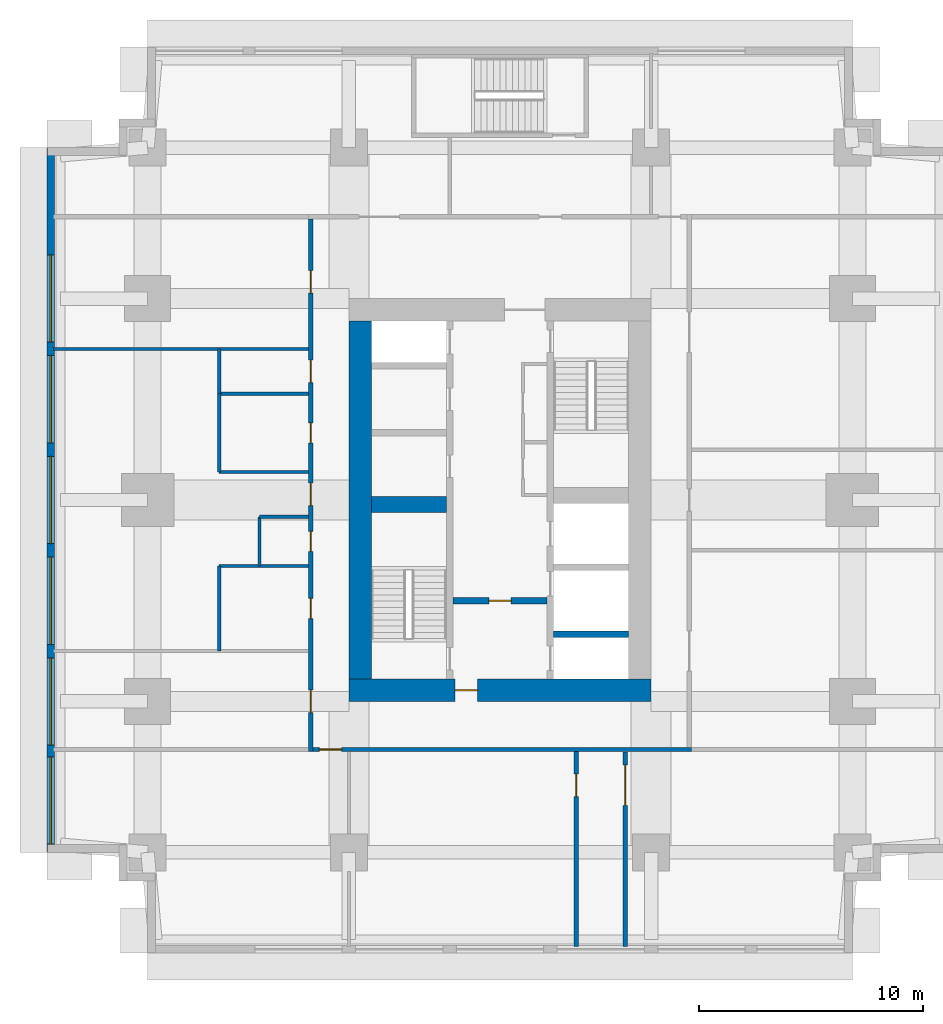
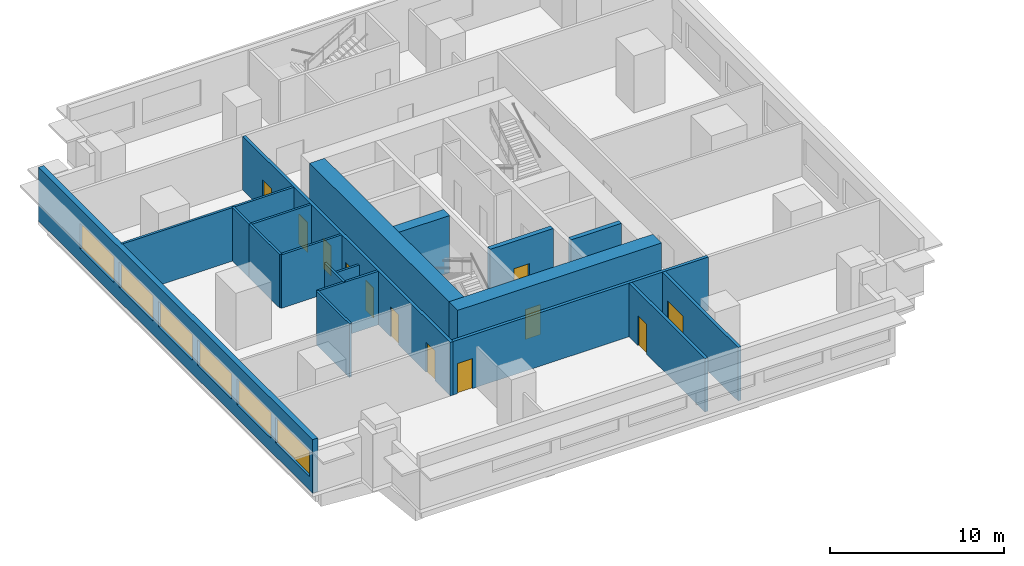
# One storey, part 3 of 11: 19 walls, 12 doors, 6 windows, 18 openings.
"""IFC4 building model written with IfcOpenShell, lengths in metres."""

from ifc_helpers import new_model, si_unit, direction, frame, frame_2d, origin, place, context, subcontext, project, spatial, rectangle, extrude, material, layer, layer_set, type_object, element, fill, save


model = new_model("IFC4")

# Units and contexts
model_context = context("Model", 3, precision=1e-05, world=origin(), true_north=direction((0.0, 1.0)))
body_context = subcontext(model_context, "Body", "Model", "MODEL_VIEW")
ifc_project = project(units=[si_unit("LENGTHUNIT", "METRE"), si_unit("AREAUNIT", "SQUARE_METRE"), si_unit("VOLUMEUNIT", "CUBIC_METRE"), si_unit("PLANEANGLEUNIT", "RADIAN"), si_unit("MASSUNIT", "GRAM", prefix="KILO")], contexts=[model_context])

# Site, building, storey
site_placement = place(None, origin())
site = spatial("IfcSite", under=ifc_project, at=site_placement, CompositionType="ELEMENT")
building_placement = place(site_placement, origin())
building = spatial("IfcBuilding", under=site, at=building_placement, Name="Namib Vertical Campus", CompositionType="ELEMENT")
storey_placement = place(building_placement, frame((0.0, 0.0, 201.0)))
storey = spatial("IfcBuildingStorey", under=building, at=storey_placement, Name="L47", CompositionType="ELEMENT", Elevation=201.0)

# Wall, opening, door
ifc_material_1 = material(Name="Concrete C60/75", Category="concrete")
ifc_layer_1 = layer(ifc_material_1, 0.300048828125)
ifc_layer_set_1 = layer_set([ifc_layer_1], Name="Concrete C60/75")
wall_type_1 = type_object("IfcWallType", Name="Core inner wall 300", PredefinedType="SHEAR", material=ifc_layer_set_1)
wall_1_placement = place(storey_placement, frame((18.14990234375, 15.75, 0.0), z_axis=(0.0, 0.0, 1.0), x_axis=(1.0, 0.0, 0.0)))
wall_1 = element("IfcWall", 1, at=wall_1_placement, inside=storey, type_object=wall_type_1, Name="Core inner wall A L47 W4", PredefinedType="SHEAR", context=body_context, shape_type="SweptSolid", body=[
    extrude(rectangle(XDim=4.2001953125, YDim=0.300048828125, at=frame_2d((2.10009765625, 0.0))), origin(), (0.0, 0.0, 1.0), 4.0),
])
opening_1_placement = place(wall_1_placement, frame((1.60009765625, 0.0, 0.0)))
opening_1 = element("IfcOpeningElement", 2, at=opening_1_placement, cuts=wall_1, Name="Opening FD5", PredefinedType="OPENING", context=body_context, shape_type="SweptSolid", body=[
    extrude(rectangle(XDim=1.0, YDim=2.10009765625, at=frame_2d((0.5, 1.050048828125))), frame((0.0, 0.159912109375, 0.0), z_axis=(0.0, -1.0, 0.0), x_axis=(1.0, 0.0, 0.0)), (0.0, 0.0, 1.0), 0.320068359375),
])
ifc_material_2 = material(Name="Steel fire door", Category="steel")
door_type_1 = type_object("IfcDoorType", Name="Fire door 1000x2100 120 min", OperationType="SINGLE_SWING_RIGHT", PredefinedType="DOOR", material=ifc_material_2)
door_1_placement = place(opening_1_placement, frame((1.0, 0.0, 0.0), z_axis=(0.0, 0.0, 1.0), x_axis=(-1.0, 0.0, 0.0)))
door_1 = element("IfcDoor", 3, at=door_1_placement, inside=storey, type_object=door_type_1, Name="Lobby door FD5 A L47", OperationType="SINGLE_SWING_RIGHT", OverallHeight=2.10009765625, OverallWidth=1.0, PredefinedType="DOOR", context=body_context, shape_type="SweptSolid", body=[
    extrude(rectangle(XDim=1.0, YDim=2.10009765625, at=frame_2d((0.5, 1.050048828125))), frame((0.0, 0.02490234375, 0.0), z_axis=(0.0, -1.0, 0.0), x_axis=(1.0, 0.0, 0.0)), (0.0, 0.0, 1.0), 0.050048828125),
])
fill(opening_1, door_1)

# Walls
wall_2_placement = place(storey_placement, frame((22.64990234375, 14.25, 0.0), z_axis=(0.0, 0.0, 1.0), x_axis=(1.0, 0.0, 0.0)))
element("IfcWall", 4, at=wall_2_placement, inside=storey, type_object=wall_type_1, Name="Core inner wall A L47 W5", PredefinedType="SHEAR", context=body_context, shape_type="SweptSolid", body=[
    extrude(rectangle(XDim=3.35009765625, YDim=0.300048828125, at=frame_2d((1.675048828125, 0.0))), origin(), (0.0, 0.0, 1.0), 4.0),
])
ifc_material_3 = material(Name="Concrete C60/75", Category="concrete")
ifc_layer_2 = layer(ifc_material_3, 0.699951171875)
ifc_layer_set_2 = layer_set([ifc_layer_2], Name="Concrete C60/75")
wall_type_2 = type_object("IfcWallType", Name="Core shear wall 700", PredefinedType="SHEAR", material=ifc_layer_set_2)
wall_3_placement = place(storey_placement, frame((14.5, 20.050048828125, 0.0), z_axis=(0.0, 0.0, 1.0), x_axis=(1.0, 0.0, 0.0)))
element("IfcWall", 5, at=wall_3_placement, inside=storey, type_object=wall_type_2, Name="Core shear wall A L47 W3", PredefinedType="SHEAR", context=body_context, shape_type="SweptSolid", body=[
    extrude(rectangle(XDim=3.35009765625, YDim=0.699951171875, at=frame_2d((1.675048828125, 0.0))), origin(), (0.0, 0.0, 1.0), 4.0),
])

# Wall, opening, door
ifc_material_4 = material(Name="Concrete C60/75", Category="concrete")
ifc_layer_3 = layer(ifc_material_4, 1.0)
ifc_layer_set_3 = layer_set([ifc_layer_3], Name="Concrete C60/75")
wall_type_3 = type_object("IfcWallType", Name="Core wall 1000", PredefinedType="SHEAR", material=ifc_layer_set_3)
wall_4_placement = place(storey_placement, frame((13.5, 11.75, 0.0), z_axis=(0.0, 0.0, 1.0), x_axis=(1.0, 0.0, 0.0)))
wall_4 = element("IfcWall", 6, at=wall_4_placement, inside=storey, type_object=wall_type_3, Name="Core wall A L47 1", PredefinedType="SHEAR", context=body_context, shape_type="SweptSolid", body=[
    extrude(rectangle(XDim=13.5, YDim=1.0, at=frame_2d((6.75, 0.0))), origin(), (0.0, 0.0, 1.0), 4.0),
])
opening_2_placement = place(wall_4_placement, frame((4.75, 0.0, 0.0)))
opening_2 = element("IfcOpeningElement", 7, at=opening_2_placement, cuts=wall_4, Name="Opening FD5", PredefinedType="OPENING", context=body_context, shape_type="SweptSolid", body=[
    extrude(rectangle(XDim=1.0, YDim=2.10009765625, at=frame_2d((0.5, 1.050048828125))), frame((0.0, 0.510009765625, 0.0), z_axis=(0.0, -1.0, 0.0), x_axis=(1.0, 0.0, 0.0)), (0.0, 0.0, 1.0), 1.02001953125),
])
door_2_placement = place(opening_2_placement, origin())
door_2 = element("IfcDoor", 8, at=door_2_placement, inside=storey, type_object=door_type_1, Name="Firefighting lobby door FD5 A L47", OperationType="SINGLE_SWING_LEFT", OverallHeight=2.10009765625, OverallWidth=1.0, PredefinedType="DOOR", context=body_context, shape_type="SweptSolid", body=[
    extrude(rectangle(XDim=1.0, YDim=2.10009765625, at=frame_2d((0.5, 1.050048828125))), frame((0.0, 0.02490234375, 0.0), z_axis=(0.0, -1.0, 0.0), x_axis=(1.0, 0.0, 0.0)), (0.0, 0.0, 1.0), 0.050048828125),
])
fill(opening_2, door_2)

# Wall
wall_5_placement = place(storey_placement, frame((14.0, 28.25, 0.0), z_axis=(0.0, 0.0, 1.0), x_axis=(0.0, -1.0, 0.0)))
element("IfcWall", 9, at=wall_5_placement, inside=storey, type_object=wall_type_3, Name="Core wall A L47 4", PredefinedType="SHEAR", context=body_context, shape_type="SweptSolid", body=[
    extrude(rectangle(XDim=16.0, YDim=1.0, at=frame_2d((8.0, 0.0))), origin(), (0.0, 0.0, 1.0), 4.0),
])

# Wall, opening, door
ifc_material_5 = material(Name="Concrete masonry", Category="masonry")
ifc_layer_4 = layer(ifc_material_5, 0.199951171875)
ifc_layer_set_4 = layer_set([ifc_layer_4], Name="Corridor wall 200")
wall_type_4 = type_object("IfcWallType", Name="Corridor wall 200", PredefinedType="SOLIDWALL", material=ifc_layer_set_4)
wall_6_placement = place(storey_placement, frame((11.89990234375, 9.10009765625, 0.0), z_axis=(0.0, 0.0, 1.0), x_axis=(1.0, 0.0, 0.0)))
wall_6 = element("IfcWall", 10, at=wall_6_placement, inside=storey, type_object=wall_type_4, Name="Corridor wall A L47 CS", PredefinedType="SOLIDWALL", context=body_context, shape_type="SweptSolid", body=[
    extrude(rectangle(XDim=16.900146484375, YDim=0.199951171875, at=frame_2d((8.4501953125, 0.0))), origin(), (0.0, 0.0, 1.0), 3.75),
])
opening_3_placement = place(wall_6_placement, frame((0.27490234375, 0.0, 0.0)))
opening_3 = element("IfcOpeningElement", 11, at=opening_3_placement, cuts=wall_6, Name="Opening CD1", PredefinedType="OPENING", context=body_context, shape_type="SweptSolid", body=[
    extrude(rectangle(XDim=1.0, YDim=2.10009765625, at=frame_2d((0.5, 1.050048828125))), frame((0.0, 0.10986328125, 0.0), z_axis=(0.0, -1.0, 0.0), x_axis=(1.0, 0.0, 0.0)), (0.0, 0.0, 1.0), 0.219970703125),
])
ifc_material_6 = material(Name="Timber fire door leaf", Category="wood")
door_type_2 = type_object("IfcDoorType", Name="Corridor door 1000x2100 20 min", OperationType="SINGLE_SWING_LEFT", PredefinedType="DOOR", material=ifc_material_6)
door_3_placement = place(opening_3_placement, frame((1.0, 0.0, 0.0), z_axis=(0.0, 0.0, 1.0), x_axis=(-1.0, 0.0, 0.0)))
door_3 = element("IfcDoor", 12, at=door_3_placement, inside=storey, type_object=door_type_2, Name="Door CD1 A47-01", OperationType="SINGLE_SWING_LEFT", OverallHeight=2.10009765625, OverallWidth=1.0, PredefinedType="DOOR", context=body_context, shape_type="SweptSolid", body=[
    extrude(rectangle(XDim=1.0, YDim=2.10009765625, at=frame_2d((0.5, 1.050048828125))), frame((0.0, 0.02490234375, 0.0), z_axis=(0.0, -1.0, 0.0), x_axis=(1.0, 0.0, 0.0)), (0.0, 0.0, 1.0), 0.050048828125),
])
fill(opening_3, door_3)

# Wall, openings, doors
wall_7_placement = place(storey_placement, frame((11.800048828125, 32.800048828125, 0.0), z_axis=(0.0, 0.0, 1.0), x_axis=(0.0, -1.0, 0.0)))
wall_7 = element("IfcWall", 13, at=wall_7_placement, inside=storey, type_object=wall_type_4, Name="Corridor wall A L47 CW", PredefinedType="SOLIDWALL", context=body_context, shape_type="SweptSolid", body=[
    extrude(rectangle(XDim=23.800048828125, YDim=0.199951171875, at=frame_2d((11.89990234375, 0.0))), origin(), (0.0, 0.0, 1.0), 3.75),
])
opening_4_placement = place(wall_7_placement, frame((21.050048828125, 0.0, 0.0)))
opening_4 = element("IfcOpeningElement", 14, at=opening_4_placement, cuts=wall_7, Name="Opening CD1", PredefinedType="OPENING", context=body_context, shape_type="SweptSolid", body=[
    extrude(rectangle(XDim=1.0, YDim=2.10009765625, at=frame_2d((0.5, 1.050048828125))), frame((0.0, 0.10986328125, 0.0), z_axis=(0.0, -1.0, 0.0), x_axis=(1.0, 0.0, 0.0)), (0.0, 0.0, 1.0), 0.219970703125),
])
opening_5_placement = place(wall_7_placement, frame((16.949951171875, 0.0, 0.0)))
opening_5 = element("IfcOpeningElement", 15, at=opening_5_placement, cuts=wall_7, Name="Opening CD3", PredefinedType="OPENING", context=body_context, shape_type="SweptSolid", body=[
    extrude(rectangle(XDim=0.89990234375, YDim=2.10009765625, at=frame_2d((0.449951171875, 1.050048828125))), frame((0.0, 0.10986328125, 0.0), z_axis=(0.0, -1.0, 0.0), x_axis=(1.0, 0.0, 0.0)), (0.0, 0.0, 1.0), 0.219970703125),
])
opening_6_placement = place(wall_7_placement, frame((13.949951171875, 0.0, 0.0)))
opening_6 = element("IfcOpeningElement", 16, at=opening_6_placement, cuts=wall_7, Name="Opening CD3", PredefinedType="OPENING", context=body_context, shape_type="SweptSolid", body=[
    extrude(rectangle(XDim=0.89990234375, YDim=2.10009765625, at=frame_2d((0.449951171875, 1.050048828125))), frame((0.0, 0.10986328125, 0.0), z_axis=(0.0, -1.0, 0.0), x_axis=(1.0, 0.0, 0.0)), (0.0, 0.0, 1.0), 0.219970703125),
])
opening_7_placement = place(wall_7_placement, frame((9.10009765625, 0.0, 0.0)))
opening_7 = element("IfcOpeningElement", 17, at=opening_7_placement, cuts=wall_7, Name="Opening CD3", PredefinedType="OPENING", context=body_context, shape_type="SweptSolid", body=[
    extrude(rectangle(XDim=0.89990234375, YDim=2.10009765625, at=frame_2d((0.449951171875, 1.050048828125))), frame((0.0, 0.10986328125, 0.0), z_axis=(0.0, -1.0, 0.0), x_axis=(1.0, 0.0, 0.0)), (0.0, 0.0, 1.0), 0.219970703125),
])
opening_8_placement = place(wall_7_placement, frame((6.300048828125, 0.0, 0.0)))
opening_8 = element("IfcOpeningElement", 18, at=opening_8_placement, cuts=wall_7, Name="Opening CD1", PredefinedType="OPENING", context=body_context, shape_type="SweptSolid", body=[
    extrude(rectangle(XDim=1.0, YDim=2.10009765625, at=frame_2d((0.5, 1.050048828125))), frame((0.0, 0.10986328125, 0.0), z_axis=(0.0, -1.0, 0.0), x_axis=(1.0, 0.0, 0.0)), (0.0, 0.0, 1.0), 0.219970703125),
])
opening_9_placement = place(wall_7_placement, frame((11.800048828125, 0.0, 0.0)))
opening_9 = element("IfcOpeningElement", 19, at=opening_9_placement, cuts=wall_7, Name="Opening CD1", PredefinedType="OPENING", context=body_context, shape_type="SweptSolid", body=[
    extrude(rectangle(XDim=1.0, YDim=2.10009765625, at=frame_2d((0.5, 1.050048828125))), frame((0.0, 0.10986328125, 0.0), z_axis=(0.0, -1.0, 0.0), x_axis=(1.0, 0.0, 0.0)), (0.0, 0.0, 1.0), 0.219970703125),
])
opening_10_placement = place(wall_7_placement, frame((2.300048828125, 0.0, 0.0)))
opening_10 = element("IfcOpeningElement", 20, at=opening_10_placement, cuts=wall_7, Name="Opening CD1", PredefinedType="OPENING", context=body_context, shape_type="SweptSolid", body=[
    extrude(rectangle(XDim=1.0, YDim=2.10009765625, at=frame_2d((0.5, 1.050048828125))), frame((0.0, 0.10986328125, 0.0), z_axis=(0.0, -1.0, 0.0), x_axis=(1.0, 0.0, 0.0)), (0.0, 0.0, 1.0), 0.219970703125),
])
door_4_placement = place(opening_4_placement, frame((1.0, 0.0, 0.0), z_axis=(0.0, 0.0, 1.0), x_axis=(-1.0, 0.0, 0.0)))
door_4 = element("IfcDoor", 21, at=door_4_placement, inside=storey, type_object=door_type_2, Name="Door CD1 A47-10", OperationType="SINGLE_SWING_RIGHT", OverallHeight=2.10009765625, OverallWidth=1.0, PredefinedType="DOOR", context=body_context, shape_type="SweptSolid", body=[
    extrude(rectangle(XDim=1.0, YDim=2.10009765625, at=frame_2d((0.5, 1.050048828125))), frame((0.0, 0.02490234375, 0.0), z_axis=(0.0, -1.0, 0.0), x_axis=(1.0, 0.0, 0.0)), (0.0, 0.0, 1.0), 0.050048828125),
])
fill(opening_4, door_4)
door_5_placement = place(opening_8_placement, frame((1.0, 0.0, 0.0), z_axis=(0.0, 0.0, 1.0), x_axis=(-1.0, 0.0, 0.0)))
door_5 = element("IfcDoor", 22, at=door_5_placement, inside=storey, type_object=door_type_2, Name="Door CD1 A47-14", OperationType="SINGLE_SWING_RIGHT", OverallHeight=2.10009765625, OverallWidth=1.0, PredefinedType="DOOR", context=body_context, shape_type="SweptSolid", body=[
    extrude(rectangle(XDim=1.0, YDim=2.10009765625, at=frame_2d((0.5, 1.050048828125))), frame((0.0, 0.02490234375, 0.0), z_axis=(0.0, -1.0, 0.0), x_axis=(1.0, 0.0, 0.0)), (0.0, 0.0, 1.0), 0.050048828125),
])
fill(opening_8, door_5)
door_6_placement = place(opening_9_placement, frame((1.0, 0.0, 0.0), z_axis=(0.0, 0.0, 1.0), x_axis=(-1.0, 0.0, 0.0)))
door_6 = element("IfcDoor", 23, at=door_6_placement, inside=storey, type_object=door_type_2, Name="Door CD1 A47-15", OperationType="SINGLE_SWING_RIGHT", OverallHeight=2.10009765625, OverallWidth=1.0, PredefinedType="DOOR", context=body_context, shape_type="SweptSolid", body=[
    extrude(rectangle(XDim=1.0, YDim=2.10009765625, at=frame_2d((0.5, 1.050048828125))), frame((0.0, 0.02490234375, 0.0), z_axis=(0.0, -1.0, 0.0), x_axis=(1.0, 0.0, 0.0)), (0.0, 0.0, 1.0), 0.050048828125),
])
fill(opening_9, door_6)
door_7_placement = place(opening_10_placement, frame((1.0, 0.0, 0.0), z_axis=(0.0, 0.0, 1.0), x_axis=(-1.0, 0.0, 0.0)))
door_7 = element("IfcDoor", 24, at=door_7_placement, inside=storey, type_object=door_type_2, Name="Door CD1 A47-16", OperationType="SINGLE_SWING_RIGHT", OverallHeight=2.10009765625, OverallWidth=1.0, PredefinedType="DOOR", context=body_context, shape_type="SweptSolid", body=[
    extrude(rectangle(XDim=1.0, YDim=2.10009765625, at=frame_2d((0.5, 1.050048828125))), frame((0.0, 0.02490234375, 0.0), z_axis=(0.0, -1.0, 0.0), x_axis=(1.0, 0.0, 0.0)), (0.0, 0.0, 1.0), 0.050048828125),
])
fill(opening_10, door_7)
ifc_material_7 = material(Name="Timber fire door leaf", Category="wood")
door_type_3 = type_object("IfcDoorType", Name="Corridor toilet door 900x2100 20 min", OperationType="SINGLE_SWING_LEFT", PredefinedType="DOOR", material=ifc_material_7)
door_8_placement = place(opening_5_placement, frame((0.89990234375, 0.0, 0.0), z_axis=(0.0, 0.0, 1.0), x_axis=(-1.0, 0.0, 0.0)))
door_8 = element("IfcDoor", 25, at=door_8_placement, inside=storey, type_object=door_type_3, Name="Door CD3 A47-11", OperationType="SINGLE_SWING_RIGHT", OverallHeight=2.10009765625, OverallWidth=0.89990234375, PredefinedType="DOOR", context=body_context, shape_type="SweptSolid", body=[
    extrude(rectangle(XDim=0.89990234375, YDim=2.10009765625, at=frame_2d((0.449951171875, 1.050048828125))), frame((0.0, 0.02490234375, 0.0), z_axis=(0.0, -1.0, 0.0), x_axis=(1.0, 0.0, 0.0)), (0.0, 0.0, 1.0), 0.050048828125),
])
fill(opening_5, door_8)
door_9_placement = place(opening_6_placement, frame((0.89990234375, 0.0, 0.0), z_axis=(0.0, 0.0, 1.0), x_axis=(-1.0, 0.0, 0.0)))
door_9 = element("IfcDoor", 26, at=door_9_placement, inside=storey, type_object=door_type_3, Name="Door CD3 A47-12", OperationType="SINGLE_SWING_RIGHT", OverallHeight=2.10009765625, OverallWidth=0.89990234375, PredefinedType="DOOR", context=body_context, shape_type="SweptSolid", body=[
    extrude(rectangle(XDim=0.89990234375, YDim=2.10009765625, at=frame_2d((0.449951171875, 1.050048828125))), frame((0.0, 0.02490234375, 0.0), z_axis=(0.0, -1.0, 0.0), x_axis=(1.0, 0.0, 0.0)), (0.0, 0.0, 1.0), 0.050048828125),
])
fill(opening_6, door_9)
door_10_placement = place(opening_7_placement, frame((0.89990234375, 0.0, 0.0), z_axis=(0.0, 0.0, 1.0), x_axis=(-1.0, 0.0, 0.0)))
door_10 = element("IfcDoor", 27, at=door_10_placement, inside=storey, type_object=door_type_3, Name="Door CD3 A47-13", OperationType="SINGLE_SWING_RIGHT", OverallHeight=2.10009765625, OverallWidth=0.89990234375, PredefinedType="DOOR", context=body_context, shape_type="SweptSolid", body=[
    extrude(rectangle(XDim=0.89990234375, YDim=2.10009765625, at=frame_2d((0.449951171875, 1.050048828125))), frame((0.0, 0.02490234375, 0.0), z_axis=(0.0, -1.0, 0.0), x_axis=(1.0, 0.0, 0.0)), (0.0, 0.0, 1.0), 0.050048828125),
])
fill(opening_7, door_10)

# Wall, opening, door
wall_8_placement = place(storey_placement, frame((23.64990234375, 0.300048828125, 0.0), z_axis=(0.0, 0.0, 1.0), x_axis=(0.0, 1.0, 0.0)))
wall_8 = element("IfcWall", 28, at=wall_8_placement, inside=storey, type_object=wall_type_4, Name="Corridor wall A L47 SPS1", PredefinedType="SOLIDWALL", context=body_context, shape_type="SweptSolid", body=[
    extrude(rectangle(XDim=8.699951171875, YDim=0.199951171875, at=frame_2d((4.35009765625, 0.0))), origin(), (0.0, 0.0, 1.0), 3.75),
])
opening_11_placement = place(wall_8_placement, frame((6.699951171875, 0.0, 0.0)))
opening_11 = element("IfcOpeningElement", 29, at=opening_11_placement, cuts=wall_8, Name="Opening CD1", PredefinedType="OPENING", context=body_context, shape_type="SweptSolid", body=[
    extrude(rectangle(XDim=1.0, YDim=2.10009765625, at=frame_2d((0.5, 1.050048828125))), frame((0.0, 0.10986328125, 0.0), z_axis=(0.0, -1.0, 0.0), x_axis=(1.0, 0.0, 0.0)), (0.0, 0.0, 1.0), 0.219970703125),
])
door_11_placement = place(opening_11_placement, origin())
door_11 = element("IfcDoor", 30, at=door_11_placement, inside=storey, type_object=door_type_2, Name="Door CD1 A47-02", OperationType="SINGLE_SWING_RIGHT", OverallHeight=2.10009765625, OverallWidth=1.0, PredefinedType="DOOR", context=body_context, shape_type="SweptSolid", body=[
    extrude(rectangle(XDim=1.0, YDim=2.10009765625, at=frame_2d((0.5, 1.050048828125))), frame((0.0, 0.02490234375, 0.0), z_axis=(0.0, -1.0, 0.0), x_axis=(1.0, 0.0, 0.0)), (0.0, 0.0, 1.0), 0.050048828125),
])
fill(opening_11, door_11)

wall_9_placement = place(storey_placement, frame((25.85009765625, 9.0, 0.0), z_axis=(0.0, 0.0, 1.0), x_axis=(0.0, -1.0, 0.0)))
wall_9 = element("IfcWall", 31, at=wall_9_placement, inside=storey, type_object=wall_type_4, Name="Corridor wall A L47 SPS2", PredefinedType="SOLIDWALL", context=body_context, shape_type="SweptSolid", body=[
    extrude(rectangle(XDim=8.699951171875, YDim=0.199951171875, at=frame_2d((4.35009765625, 0.0))), origin(), (0.0, 0.0, 1.0), 3.75),
])
opening_12_placement = place(wall_9_placement, frame((0.60009765625, 0.0, 0.0)))
opening_12 = element("IfcOpeningElement", 32, at=opening_12_placement, cuts=wall_9, Name="Opening CD2", PredefinedType="OPENING", context=body_context, shape_type="SweptSolid", body=[
    extrude(rectangle(XDim=1.800048828125, YDim=2.10009765625, at=frame_2d((0.89990234375, 1.050048828125))), frame((0.0, 0.10986328125, 0.0), z_axis=(0.0, -1.0, 0.0), x_axis=(1.0, 0.0, 0.0)), (0.0, 0.0, 1.0), 0.219970703125),
])
ifc_material_8 = material(Name="Timber fire door leaf", Category="wood")
door_type_4 = type_object("IfcDoorType", Name="Corridor door double 1800x2100 20 min", OperationType="DOUBLE_DOOR_SINGLE_SWING", PredefinedType="DOOR", material=ifc_material_8)
door_12_placement = place(opening_12_placement, origin())
door_12 = element("IfcDoor", 33, at=door_12_placement, inside=storey, type_object=door_type_4, Name="Door CD2 A47-03", OperationType="DOUBLE_DOOR_SINGLE_SWING", OverallHeight=2.10009765625, OverallWidth=1.800048828125, PredefinedType="DOOR", context=body_context, shape_type="SweptSolid", body=[
    extrude(rectangle(XDim=1.800048828125, YDim=2.10009765625, at=frame_2d((0.89990234375, 1.050048828125))), frame((0.0, 0.02490234375, 0.0), z_axis=(0.0, -1.0, 0.0), x_axis=(1.0, 0.0, 0.0)), (0.0, 0.0, 1.0), 0.050048828125),
])
fill(opening_12, door_12)

# Wall, openings, windows
ifc_material_9 = material(Name="Concrete C40/50", Category="concrete")
ifc_layer_5 = layer(ifc_material_9, 0.35009765625)
ifc_layer_set_5 = layer_set([ifc_layer_5], Name="Concrete C40/50")
wall_type_5 = type_object("IfcWallType", Name="External wall 350 bush-hammered concrete", PredefinedType="STANDARD", material=ifc_layer_set_5)
wall_10_placement = place(storey_placement, frame((0.175048828125, 35.97998046875, 0.0), z_axis=(0.0, 0.0, 1.0), x_axis=(0.0, -1.0, 0.0)))
wall_10 = element("IfcWall", 34, at=wall_10_placement, inside=storey, type_object=wall_type_5, Name="External wall L47 F16", PredefinedType="STANDARD", context=body_context, shape_type="SweptSolid", body=[
    extrude(rectangle(XDim=31.4599609375, YDim=0.35009765625, at=frame_2d((15.72998046875, 0.0))), origin(), (0.0, 0.0, 1.0), 3.75),
])
opening_13_placement = place(wall_10_placement, frame((27.2099609375, 0.0, 0.949951171875)))
opening_13 = element("IfcOpeningElement", 35, at=opening_13_placement, cuts=wall_10, Name="Opening W3", PredefinedType="OPENING", context=body_context, shape_type="SweptSolid", body=[
    extrude(rectangle(XDim=3.89990234375, YDim=1.800048828125, at=frame_2d((1.949951171875, 0.89990234375))), frame((0.0, 0.18505859375, 0.0), z_axis=(0.0, -1.0, 0.0), x_axis=(1.0, 0.0, 0.0)), (0.0, 0.0, 1.0), 0.3701171875),
])
opening_14_placement = place(wall_10_placement, frame((22.780029296875, 0.0, 0.949951171875)))
opening_14 = element("IfcOpeningElement", 36, at=opening_14_placement, cuts=wall_10, Name="Opening W3", PredefinedType="OPENING", context=body_context, shape_type="SweptSolid", body=[
    extrude(rectangle(XDim=3.89990234375, YDim=1.800048828125, at=frame_2d((1.949951171875, 0.89990234375))), frame((0.0, 0.18505859375, 0.0), z_axis=(0.0, -1.0, 0.0), x_axis=(1.0, 0.0, 0.0)), (0.0, 0.0, 1.0), 0.3701171875),
])
opening_15_placement = place(wall_10_placement, frame((18.280029296875, 0.0, 0.949951171875)))
opening_15 = element("IfcOpeningElement", 37, at=opening_15_placement, cuts=wall_10, Name="Opening W3", PredefinedType="OPENING", context=body_context, shape_type="SweptSolid", body=[
    extrude(rectangle(XDim=3.89990234375, YDim=1.800048828125, at=frame_2d((1.949951171875, 0.89990234375))), frame((0.0, 0.18505859375, 0.0), z_axis=(0.0, -1.0, 0.0), x_axis=(1.0, 0.0, 0.0)), (0.0, 0.0, 1.0), 0.3701171875),
])
opening_16_placement = place(wall_10_placement, frame((13.780029296875, 0.0, 0.949951171875)))
opening_16 = element("IfcOpeningElement", 38, at=opening_16_placement, cuts=wall_10, Name="Opening W3", PredefinedType="OPENING", context=body_context, shape_type="SweptSolid", body=[
    extrude(rectangle(XDim=3.89990234375, YDim=1.800048828125, at=frame_2d((1.949951171875, 0.89990234375))), frame((0.0, 0.18505859375, 0.0), z_axis=(0.0, -1.0, 0.0), x_axis=(1.0, 0.0, 0.0)), (0.0, 0.0, 1.0), 0.3701171875),
])
opening_17_placement = place(wall_10_placement, frame((9.280029296875, 0.0, 0.949951171875)))
opening_17 = element("IfcOpeningElement", 39, at=opening_17_placement, cuts=wall_10, Name="Opening W3", PredefinedType="OPENING", context=body_context, shape_type="SweptSolid", body=[
    extrude(rectangle(XDim=3.89990234375, YDim=1.800048828125, at=frame_2d((1.949951171875, 0.89990234375))), frame((0.0, 0.18505859375, 0.0), z_axis=(0.0, -1.0, 0.0), x_axis=(1.0, 0.0, 0.0)), (0.0, 0.0, 1.0), 0.3701171875),
])
opening_18_placement = place(wall_10_placement, frame((4.780029296875, 0.0, 0.949951171875)))
opening_18 = element("IfcOpeningElement", 40, at=opening_18_placement, cuts=wall_10, Name="Opening W3", PredefinedType="OPENING", context=body_context, shape_type="SweptSolid", body=[
    extrude(rectangle(XDim=3.89990234375, YDim=1.800048828125, at=frame_2d((1.949951171875, 0.89990234375))), frame((0.0, 0.18505859375, 0.0), z_axis=(0.0, -1.0, 0.0), x_axis=(1.0, 0.0, 0.0)), (0.0, 0.0, 1.0), 0.3701171875),
])
ifc_material_10 = material(Name="Dark tinted glass in black aluminium frame", Category="aluminium")
window_type = type_object("IfcWindowType", Name="Ribbon window 3900x1800", PartitioningType="SINGLE_PANEL", PredefinedType="WINDOW", material=ifc_material_10)
window_1_placement = place(opening_13_placement, origin())
window_1 = element("IfcWindow", 41, at=window_1_placement, inside=storey, type_object=window_type, Name="Window W3 L47 F16-1", OverallHeight=1.800048828125, OverallWidth=3.89990234375, PartitioningType="SINGLE_PANEL", PredefinedType="WINDOW", context=body_context, shape_type="SweptSolid", body=[
    extrude(rectangle(XDim=3.89990234375, YDim=1.800048828125, at=frame_2d((1.949951171875, 0.89990234375))), frame((0.0, 0.030029296875, 0.0), z_axis=(0.0, -1.0, 0.0), x_axis=(1.0, 0.0, 0.0)), (0.0, 0.0, 1.0), 0.06005859375),
])
fill(opening_13, window_1)
window_2_placement = place(opening_14_placement, origin())
window_2 = element("IfcWindow", 42, at=window_2_placement, inside=storey, type_object=window_type, Name="Window W3 L47 F16-2", OverallHeight=1.800048828125, OverallWidth=3.89990234375, PartitioningType="SINGLE_PANEL", PredefinedType="WINDOW", context=body_context, shape_type="SweptSolid", body=[
    extrude(rectangle(XDim=3.89990234375, YDim=1.800048828125, at=frame_2d((1.949951171875, 0.89990234375))), frame((0.0, 0.030029296875, 0.0), z_axis=(0.0, -1.0, 0.0), x_axis=(1.0, 0.0, 0.0)), (0.0, 0.0, 1.0), 0.06005859375),
])
fill(opening_14, window_2)
window_3_placement = place(opening_15_placement, origin())
window_3 = element("IfcWindow", 43, at=window_3_placement, inside=storey, type_object=window_type, Name="Window W3 L47 F16-3", OverallHeight=1.800048828125, OverallWidth=3.89990234375, PartitioningType="SINGLE_PANEL", PredefinedType="WINDOW", context=body_context, shape_type="SweptSolid", body=[
    extrude(rectangle(XDim=3.89990234375, YDim=1.800048828125, at=frame_2d((1.949951171875, 0.89990234375))), frame((0.0, 0.030029296875, 0.0), z_axis=(0.0, -1.0, 0.0), x_axis=(1.0, 0.0, 0.0)), (0.0, 0.0, 1.0), 0.06005859375),
])
fill(opening_15, window_3)
window_4_placement = place(opening_16_placement, origin())
window_4 = element("IfcWindow", 44, at=window_4_placement, inside=storey, type_object=window_type, Name="Window W3 L47 F16-4", OverallHeight=1.800048828125, OverallWidth=3.89990234375, PartitioningType="SINGLE_PANEL", PredefinedType="WINDOW", context=body_context, shape_type="SweptSolid", body=[
    extrude(rectangle(XDim=3.89990234375, YDim=1.800048828125, at=frame_2d((1.949951171875, 0.89990234375))), frame((0.0, 0.030029296875, 0.0), z_axis=(0.0, -1.0, 0.0), x_axis=(1.0, 0.0, 0.0)), (0.0, 0.0, 1.0), 0.06005859375),
])
fill(opening_16, window_4)
window_5_placement = place(opening_17_placement, origin())
window_5 = element("IfcWindow", 45, at=window_5_placement, inside=storey, type_object=window_type, Name="Window W3 L47 F16-5", OverallHeight=1.800048828125, OverallWidth=3.89990234375, PartitioningType="SINGLE_PANEL", PredefinedType="WINDOW", context=body_context, shape_type="SweptSolid", body=[
    extrude(rectangle(XDim=3.89990234375, YDim=1.800048828125, at=frame_2d((1.949951171875, 0.89990234375))), frame((0.0, 0.030029296875, 0.0), z_axis=(0.0, -1.0, 0.0), x_axis=(1.0, 0.0, 0.0)), (0.0, 0.0, 1.0), 0.06005859375),
])
fill(opening_17, window_5)
window_6_placement = place(opening_18_placement, origin())
window_6 = element("IfcWindow", 46, at=window_6_placement, inside=storey, type_object=window_type, Name="Window W3 L47 F16-6", OverallHeight=1.800048828125, OverallWidth=3.89990234375, PartitioningType="SINGLE_PANEL", PredefinedType="WINDOW", context=body_context, shape_type="SweptSolid", body=[
    extrude(rectangle(XDim=3.89990234375, YDim=1.800048828125, at=frame_2d((1.949951171875, 0.89990234375))), frame((0.0, 0.030029296875, 0.0), z_axis=(0.0, -1.0, 0.0), x_axis=(1.0, 0.0, 0.0)), (0.0, 0.0, 1.0), 0.06005859375),
])
fill(opening_18, window_6)

# Walls
ifc_material_11 = material(Name="Gypsum board on steel studs", Category="steel")
ifc_layer_6 = layer(ifc_material_11, 0.14990234375)
ifc_layer_set_6 = layer_set([ifc_layer_6], Name="Gypsum board on steel studs")
wall_type_6 = type_object("IfcWallType", Name="Partition 150", PredefinedType="PARTITIONING", material=ifc_layer_set_6)
wall_11_placement = place(storey_placement, frame((0.300048828125, 27.0, 0.0), z_axis=(0.0, 0.0, 1.0), x_axis=(1.0, 0.0, 0.0)))
element("IfcWall", 47, at=wall_11_placement, inside=storey, type_object=wall_type_6, Name="Partition A L47 PW2", PredefinedType="PARTITIONING", context=body_context, shape_type="SweptSolid", body=[
    extrude(rectangle(XDim=11.39990234375, YDim=0.14990234375, at=frame_2d((5.699951171875, 0.0))), origin(), (0.0, 0.0, 1.0), 3.75),
])
wall_12_placement = place(storey_placement, frame((11.699951171875, 17.300048828125, 0.0), z_axis=(0.0, 0.0, 1.0), x_axis=(-1.0, 0.0, 0.0)))
element("IfcWall", 48, at=wall_12_placement, inside=storey, type_object=wall_type_6, Name="Partition A L47 WR1", PredefinedType="PARTITIONING", context=body_context, shape_type="SweptSolid", body=[
    extrude(rectangle(XDim=4.0, YDim=0.14990234375, at=frame_2d((2.0, 0.0))), origin(), (0.0, 0.0, 1.0), 3.75),
])
wall_13_placement = place(storey_placement, frame((11.699951171875, 19.5, 0.0), z_axis=(0.0, 0.0, 1.0), x_axis=(-1.0, 0.0, 0.0)))
element("IfcWall", 49, at=wall_13_placement, inside=storey, type_object=wall_type_6, Name="Partition A L47 WR2", PredefinedType="PARTITIONING", context=body_context, shape_type="SweptSolid", body=[
    extrude(rectangle(XDim=2.199951171875, YDim=0.14990234375, at=frame_2d((1.10009765625, 0.0))), origin(), (0.0, 0.0, 1.0), 2.85009765625),
])
for number, where, z_axis, x_axis, name in (
    (50, (11.699951171875, 21.5, 0.0), (0.0, 0.0, 1.0), (-1.0, 0.0, 0.0), "Partition A L47 WR3"),
    (51, (11.699951171875, 25.0, 0.0), (0.0, 0.0, 1.0), (-1.0, 0.0, 0.0), "Partition A L47 WR4"),
):
    element("IfcWall", number, at=place(storey_placement, frame(where, z_axis=z_axis, x_axis=x_axis)), inside=storey, type_object=wall_type_6, Name=name, PredefinedType="PARTITIONING", context=body_context, shape_type="SweptSolid", body=[
        extrude(rectangle(XDim=4.0, YDim=0.14990234375, at=frame_2d((2.0, 0.0))), origin(), (0.0, 0.0, 1.0), 3.75),
    ])
wall_14_placement = place(storey_placement, frame((7.699951171875, 13.5, 0.0), z_axis=(0.0, 0.0, 1.0), x_axis=(0.0, 1.0, 0.0)))
element("IfcWall", 52, at=wall_14_placement, inside=storey, type_object=wall_type_6, Name="Partition A L47 WB1", PredefinedType="PARTITIONING", context=body_context, shape_type="SweptSolid", body=[
    extrude(rectangle(XDim=3.800048828125, YDim=0.14990234375, at=frame_2d((1.89990234375, 0.0))), origin(), (0.0, 0.0, 1.0), 3.75),
])
wall_15_placement = place(storey_placement, frame((9.5, 17.300048828125, 0.0), z_axis=(0.0, 0.0, 1.0), x_axis=(0.0, 1.0, 0.0)))
element("IfcWall", 53, at=wall_15_placement, inside=storey, type_object=wall_type_6, Name="Partition A L47 WB2", PredefinedType="PARTITIONING", context=body_context, shape_type="SweptSolid", body=[
    extrude(rectangle(XDim=2.199951171875, YDim=0.14990234375, at=frame_2d((1.10009765625, 0.0))), origin(), (0.0, 0.0, 1.0), 3.75),
])
wall_16_placement = place(storey_placement, frame((7.699951171875, 21.5, 0.0), z_axis=(0.0, 0.0, 1.0), x_axis=(0.0, 1.0, 0.0)))
element("IfcWall", 54, at=wall_16_placement, inside=storey, type_object=wall_type_6, Name="Partition A L47 WB3", PredefinedType="PARTITIONING", context=body_context, shape_type="SweptSolid", body=[
    extrude(rectangle(XDim=3.5, YDim=0.14990234375, at=frame_2d((1.75, 0.0))), origin(), (0.0, 0.0, 1.0), 3.75),
])
wall_17_placement = place(storey_placement, frame((7.699951171875, 25.0, 0.0), z_axis=(0.0, 0.0, 1.0), x_axis=(0.0, 1.0, 0.0)))
element("IfcWall", 55, at=wall_17_placement, inside=storey, type_object=wall_type_6, Name="Partition A L47 WB4", PredefinedType="PARTITIONING", context=body_context, shape_type="SweptSolid", body=[
    extrude(rectangle(XDim=2.0, YDim=0.14990234375, at=frame_2d((1.0, 0.0))), origin(), (0.0, 0.0, 1.0), 3.75),
])

save(model, "model.ifc")
